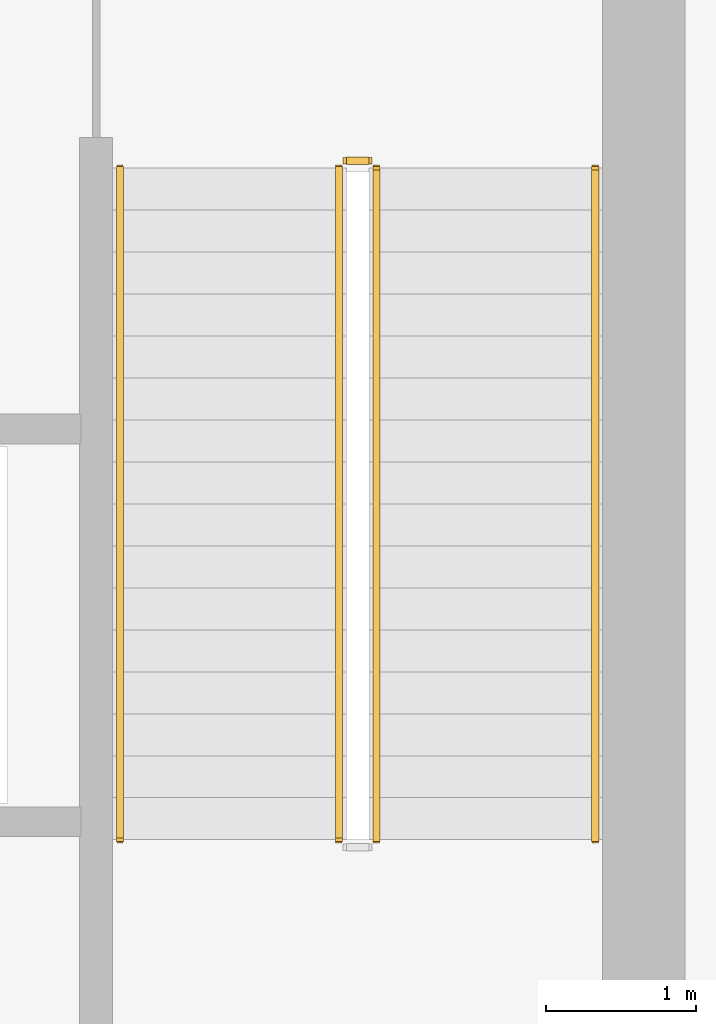
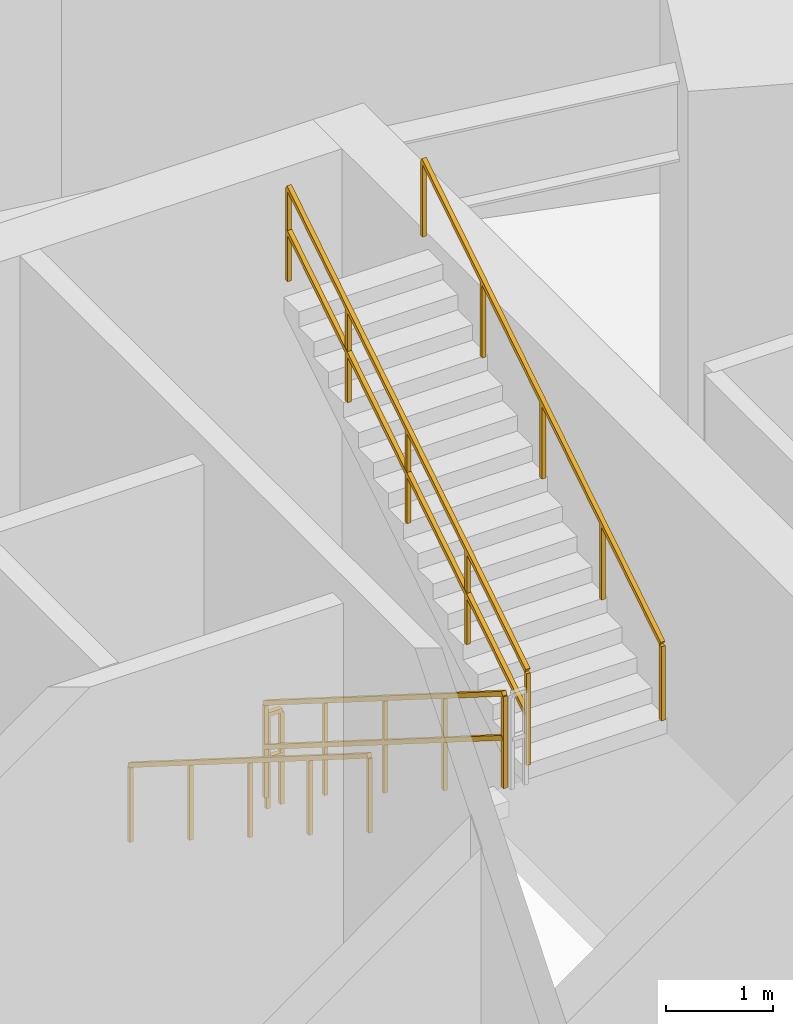
# One storey, part 13 of 14: 5 railings.
"""IFC4 building model written with IfcOpenShell, lengths in metres."""

from ifc_helpers import new_model, si_unit, direction, frame, origin, origin_2d, place, context, subcontext, project, spatial, rectangle, extrude, material, type_object, element, save


model = new_model("IFC4")

# Units and contexts
model_context = context("Model", 3, precision=1e-05, world=origin(), true_north=direction((0.0, 1.0)))
body_context = subcontext(model_context, "Body", "Model", "MODEL_VIEW")
ifc_project = project(units=[si_unit("LENGTHUNIT", "METRE"), si_unit("AREAUNIT", "SQUARE_METRE"), si_unit("VOLUMEUNIT", "CUBIC_METRE"), si_unit("PLANEANGLEUNIT", "RADIAN"), si_unit("MASSUNIT", "GRAM", prefix="KILO")], contexts=[model_context])

# Site, building, storey
site_placement = place(None, origin())
site = spatial("IfcSite", under=ifc_project, at=site_placement, CompositionType="ELEMENT")
building_placement = place(site_placement, origin())
building = spatial("IfcBuilding", under=site, at=building_placement, Name="Breltana Convention Tower", CompositionType="ELEMENT")
storey_placement = place(building_placement, origin())
storey = spatial("IfcBuildingStorey", under=building, at=storey_placement, Name="L00", CompositionType="ELEMENT", Elevation=0.0)

# Railings
ifc_material_1 = material(Name="Steel S275 Painted", Category="steel")
railing_type_1 = type_object("IfcRailingType", Name="RL-STAIR-GUARD-1100", PredefinedType="GUARDRAIL", material=ifc_material_1)
railing_1_placement = place(storey_placement, frame((57.0400390625, 70.0400390625, 0.176513671875)))
element("IfcRailing", 1, at=railing_1_placement, inside=storey, type_object=railing_type_1, Name="L00 ST-2 stair guard 1", PredefinedType="GUARDRAIL", context=body_context, shape_type="SweptSolid", body=[
    extrude(rectangle(XDim=0.048095703125, YDim=0.048095703125, at=origin_2d()), frame((0.0, 0.0, 1.076171875), z_axis=(0.0, -0.845997938375, 0.533186166611), x_axis=(1.0, 0.0, 0.0)), (0.0, 0.0, 1.0), 5.29541015625),
    extrude(rectangle(XDim=0.048095703125, YDim=0.048095703125, at=origin_2d()), frame((0.0, 0.0, 0.572021484375), z_axis=(0.0, -0.845997938375, 0.533186166611), x_axis=(1.0, 0.0, 0.0)), (0.0, 0.0, 1.0), 5.29541015625),
    extrude(rectangle(XDim=0.0419921875, YDim=0.0419921875, at=origin_2d()), origin(), (0.0, 0.0, 1.0), 1.052001953125),
    extrude(rectangle(XDim=0.0419921875, YDim=0.0419921875, at=origin_2d()), frame((0.0, -1.1201171875, 0.705810546875)), (0.0, 0.0, 1.0), 1.052001953125),
    extrude(rectangle(XDim=0.0419921875, YDim=0.0419921875, at=origin_2d()), frame((0.0, -2.239990234375, 1.41162109375)), (0.0, 0.0, 1.0), 1.052001953125),
    extrude(rectangle(XDim=0.0419921875, YDim=0.0419921875, at=origin_2d()), frame((0.0, -3.35986328125, 2.11767578125)), (0.0, 0.0, 1.0), 1.052001953125),
    extrude(rectangle(XDim=0.0419921875, YDim=0.0419921875, at=origin_2d()), frame((0.0, -4.47998046875, 2.823486328125)), (0.0, 0.0, 1.0), 1.052001953125),
])
railing_2_placement = place(storey_placement, frame((57.2900390625, 65.56005859375, 3.176513671875)))
element("IfcRailing", 2, at=railing_2_placement, inside=storey, type_object=railing_type_1, Name="L00 ST-2 stair guard 3", PredefinedType="GUARDRAIL", context=body_context, shape_type="SweptSolid", body=[
    extrude(rectangle(XDim=0.048095703125, YDim=0.048095703125, at=origin_2d()), frame((0.0, 0.0, 1.076171875), z_axis=(0.0, 0.845997938375, 0.533186166611), x_axis=(-1.0, 0.0, 0.0)), (0.0, 0.0, 1.0), 5.29541015625),
    extrude(rectangle(XDim=0.048095703125, YDim=0.048095703125, at=origin_2d()), frame((0.0, 0.0, 0.572021484375), z_axis=(0.0, 0.845997938375, 0.533186166611), x_axis=(-1.0, 0.0, 0.0)), (0.0, 0.0, 1.0), 5.29541015625),
    extrude(rectangle(XDim=0.0419921875, YDim=0.0419921875, at=origin_2d()), origin(), (0.0, 0.0, 1.0), 1.052001953125),
    extrude(rectangle(XDim=0.0419921875, YDim=0.0419921875, at=origin_2d()), frame((0.0, 1.1201171875, 0.705810546875)), (0.0, 0.0, 1.0), 1.052001953125),
    extrude(rectangle(XDim=0.0419921875, YDim=0.0419921875, at=origin_2d()), frame((0.0, 2.239990234375, 1.41162109375)), (0.0, 0.0, 1.0), 1.052001953125),
    extrude(rectangle(XDim=0.0419921875, YDim=0.0419921875, at=origin_2d()), frame((0.0, 3.35986328125, 2.11767578125)), (0.0, 0.0, 1.0), 1.052001953125),
    extrude(rectangle(XDim=0.0419921875, YDim=0.0419921875, at=origin_2d()), frame((0.0, 4.47998046875, 2.823486328125)), (0.0, 0.0, 1.0), 1.052001953125),
])
railing_3_placement = place(storey_placement, frame((57.090087890625, 70.090087890625, 0.0)))
element("IfcRailing", 3, at=railing_3_placement, inside=storey, type_object=railing_type_1, Name="L00 ST-2 stair guard 4", PredefinedType="GUARDRAIL", context=body_context, shape_type="SweptSolid", body=[
    extrude(rectangle(XDim=0.048095703125, YDim=0.048095703125, at=origin_2d()), frame((0.0, 0.0, 1.076171875), z_axis=(1.0, 0.0, 0.0), x_axis=(0.0, 1.0, 0.0)), (0.0, 0.0, 1.0), 0.14990234375),
    extrude(rectangle(XDim=0.048095703125, YDim=0.048095703125, at=origin_2d()), frame((0.0, 0.0, 0.572021484375), z_axis=(1.0, 0.0, 0.0), x_axis=(0.0, 1.0, 0.0)), (0.0, 0.0, 1.0), 0.14990234375),
    extrude(rectangle(XDim=0.0419921875, YDim=0.0419921875, at=origin_2d()), origin(), (0.0, 0.0, 1.0), 1.052001953125),
    extrude(rectangle(XDim=0.0419921875, YDim=0.0419921875, at=origin_2d()), frame((0.14990234375, 0.0, 0.0)), (0.0, 0.0, 1.0), 1.052001953125),
])
ifc_material_2 = material(Name="Stainless Steel 316L", Category="steel")
railing_type_2 = type_object("IfcRailingType", Name="RL-STAIR-HANDRAIL-900", PredefinedType="HANDRAIL", material=ifc_material_2)
railing_4_placement = place(storey_placement, frame((55.580078125, 70.0400390625, 0.176513671875)))
element("IfcRailing", 4, at=railing_4_placement, inside=storey, type_object=railing_type_2, Name="L00 ST-2 stair handrail 1", PredefinedType="HANDRAIL", context=body_context, shape_type="SweptSolid", body=[
    extrude(rectangle(XDim=0.048095703125, YDim=0.048095703125, at=origin_2d()), frame((0.0, 0.0, 0.8759765625), z_axis=(0.0, -0.845997938375, 0.533186166611), x_axis=(1.0, 0.0, 0.0)), (0.0, 0.0, 1.0), 5.29541015625),
    extrude(rectangle(XDim=0.0419921875, YDim=0.0419921875, at=origin_2d()), origin(), (0.0, 0.0, 1.0), 0.851806640625),
    extrude(rectangle(XDim=0.0419921875, YDim=0.0419921875, at=origin_2d()), frame((0.0, -1.1201171875, 0.705810546875)), (0.0, 0.0, 1.0), 0.851806640625),
    extrude(rectangle(XDim=0.0419921875, YDim=0.0419921875, at=origin_2d()), frame((0.0, -2.239990234375, 1.41162109375)), (0.0, 0.0, 1.0), 0.851806640625),
    extrude(rectangle(XDim=0.0419921875, YDim=0.0419921875, at=origin_2d()), frame((0.0, -3.35986328125, 2.11767578125)), (0.0, 0.0, 1.0), 0.851806640625),
    extrude(rectangle(XDim=0.0419921875, YDim=0.0419921875, at=origin_2d()), frame((0.0, -4.47998046875, 2.823486328125)), (0.0, 0.0, 1.0), 0.851806640625),
])
railing_5_placement = place(storey_placement, frame((58.75, 65.56005859375, 3.176513671875)))
element("IfcRailing", 5, at=railing_5_placement, inside=storey, type_object=railing_type_2, Name="L00 ST-2 stair handrail 2", PredefinedType="HANDRAIL", context=body_context, shape_type="SweptSolid", body=[
    extrude(rectangle(XDim=0.048095703125, YDim=0.048095703125, at=origin_2d()), frame((0.0, 0.0, 0.8759765625), z_axis=(0.0, 0.845997938375, 0.533186166611), x_axis=(-1.0, 0.0, 0.0)), (0.0, 0.0, 1.0), 5.29541015625),
    extrude(rectangle(XDim=0.0419921875, YDim=0.0419921875, at=origin_2d()), origin(), (0.0, 0.0, 1.0), 0.851806640625),
    extrude(rectangle(XDim=0.0419921875, YDim=0.0419921875, at=origin_2d()), frame((0.0, 1.1201171875, 0.705810546875)), (0.0, 0.0, 1.0), 0.851806640625),
    extrude(rectangle(XDim=0.0419921875, YDim=0.0419921875, at=origin_2d()), frame((0.0, 2.239990234375, 1.41162109375)), (0.0, 0.0, 1.0), 0.851806640625),
    extrude(rectangle(XDim=0.0419921875, YDim=0.0419921875, at=origin_2d()), frame((0.0, 3.35986328125, 2.11767578125)), (0.0, 0.0, 1.0), 0.851806640625),
    extrude(rectangle(XDim=0.0419921875, YDim=0.0419921875, at=origin_2d()), frame((0.0, 4.47998046875, 2.823486328125)), (0.0, 0.0, 1.0), 0.851806640625),
])

save(model, "model.ifc")
